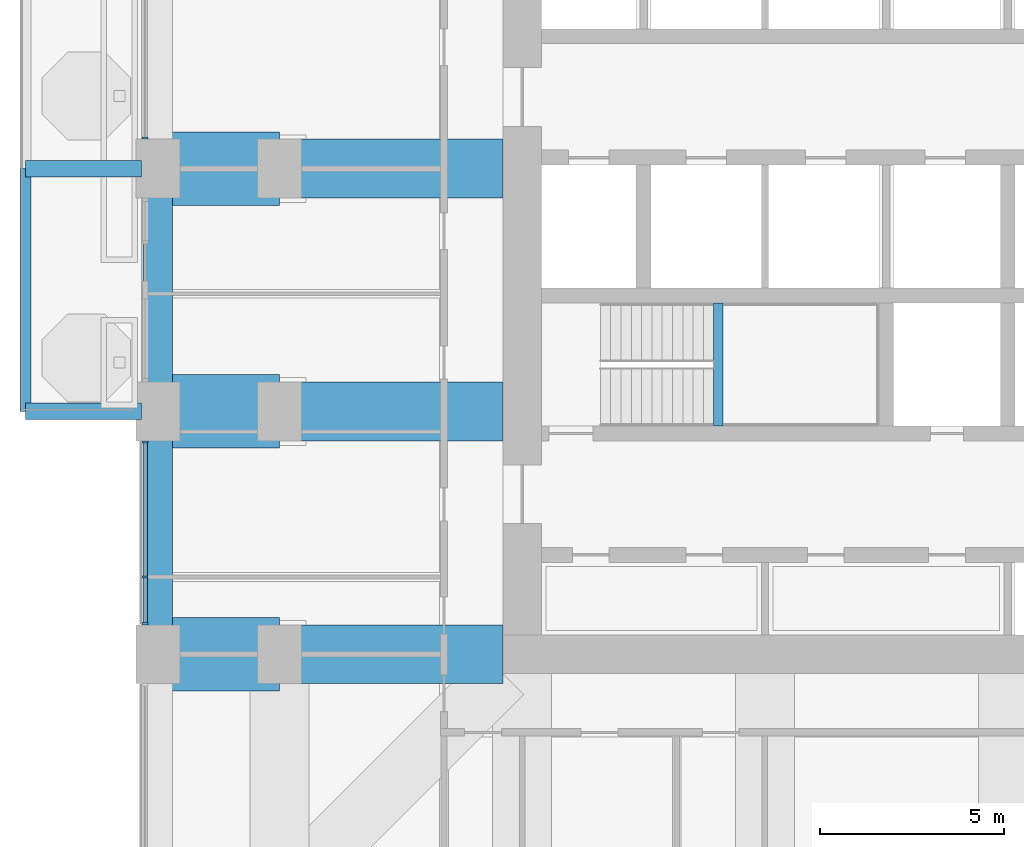
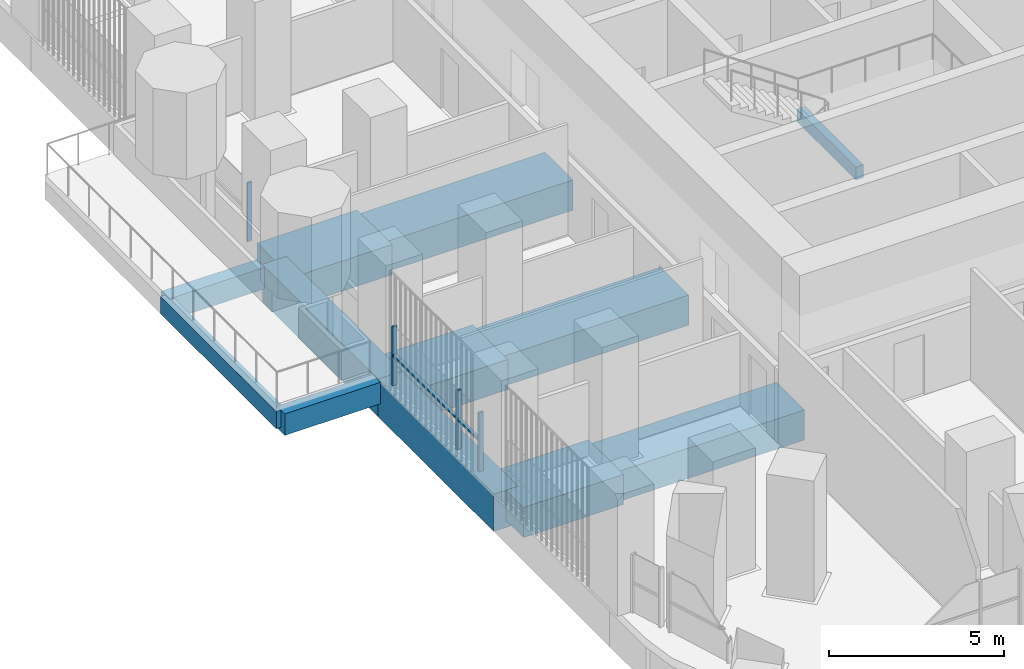
# One storey, part 4 of 22: 12 beams, 6 members, 2 elements without a shape of their own.
"""IFC4 building model written with IfcOpenShell, lengths in metres."""

from ifc_helpers import new_model, si_unit, direction, frame, origin, origin_2d, place, context, subcontext, project, spatial, rectangle, extrude, material, material_profile, profile_set, type_object, element, aggregate, save


model = new_model("IFC4")

# Units and contexts
model_context = context("Model", 3, precision=1e-05, world=origin(), true_north=direction((0.0, 1.0)))
body_context = subcontext(model_context, "Body", "Model", "MODEL_VIEW")
ifc_project = project(units=[si_unit("LENGTHUNIT", "METRE"), si_unit("AREAUNIT", "SQUARE_METRE"), si_unit("VOLUMEUNIT", "CUBIC_METRE"), si_unit("PLANEANGLEUNIT", "RADIAN"), si_unit("MASSUNIT", "GRAM", prefix="KILO")], contexts=[model_context])

# Site, building, storey
site_placement = place(None, origin())
site = spatial("IfcSite", under=ifc_project, at=site_placement, CompositionType="ELEMENT")
building_placement = place(site_placement, origin())
building = spatial("IfcBuilding", under=site, at=building_placement, Name="Cobogo Forest Laboratory Tower", CompositionType="ELEMENT")
storey_placement = place(building_placement, frame((0.0, 0.0, 145.199951171875)))
storey = spatial("IfcBuildingStorey", under=building, at=storey_placement, Name="L33", CompositionType="ELEMENT", Elevation=145.199951171875)

# Beams
ifc_material_1 = material(Name="Concrete HA-40 (C40/50)", Category="concrete")
ifc_material_profile_1 = material_profile(ifc_material_1, rectangle(XDim=0.449951171875, YDim=0.75, at=origin_2d()), Name="RC 450x750")
ifc_profile_set_1 = profile_set([ifc_material_profile_1], Name="Concrete HA-40 (C40/50)")
beam_type_1 = type_object("IfcBeamType", Name="Balcony cantilever beam 450x750", PredefinedType="BEAM", material=ifc_profile_set_1)
for number, where, z_axis, x_axis, name in (
    (1, (2.85009765625, 19.800048828125, -0.625), (-1.0, 0.0, 0.0), (0.0, -1.0, 0.0), "CB1 BAL-W1-C1 L33"),
    (2, (2.85009765625, 26.39990234375, -0.625), (-1.0, 0.0, 0.0), (0.0, -1.0, 0.0), "CB1 BAL-W1-C2 L33"),
):
    element("IfcBeam", number, at=place(storey_placement, frame(where, z_axis=z_axis, x_axis=x_axis)), inside=storey, type_object=beam_type_1, Name=name, PredefinedType="BEAM", context=body_context, shape_type="SweptSolid", body=[
        extrude(rectangle(XDim=0.449951171875, YDim=0.75, at=origin_2d()), origin(), (0.0, 0.0, 1.0), 3.150146484375),
    ])
ifc_material_profile_2 = material_profile(ifc_material_1, rectangle(XDim=0.300048828125, YDim=0.60009765625, at=origin_2d()), Name="RC 300x600")
ifc_profile_set_2 = profile_set([ifc_material_profile_2], Name="Concrete HA-40 (C40/50)")
beam_type_2 = type_object("IfcBeamType", Name="Balcony edge beam 300x600", PredefinedType="BEAM", material=ifc_profile_set_2)
beam_1_placement = place(storey_placement, frame((-0.300048828125, 19.800048828125, -0.550048828125), z_axis=(0.0, 1.0, 0.0), x_axis=(-1.0, 0.0, 0.0)))
element("IfcBeam", 3, at=beam_1_placement, inside=storey, type_object=beam_type_2, Name="BB1 BAL-W1-T1 L33", PredefinedType="BEAM", context=body_context, shape_type="SweptSolid", body=[
    extrude(rectangle(XDim=0.300048828125, YDim=0.60009765625, at=origin_2d()), origin(), (0.0, 0.0, 1.0), 6.599853515625),
])
ifc_material_2 = material(Name="Concrete HA-50 (C50/60)", Category="concrete")
ifc_material_profile_3 = material_profile(ifc_material_2, rectangle(XDim=2.0, YDim=1.050048828125, at=origin_2d()), Name="RC 2000x1050")
ifc_profile_set_3 = profile_set([ifc_material_profile_3], Name="Concrete HA-50 (C50/60)")
beam_type_3 = type_object("IfcBeamType", Name="End-bay wide beam 2000x1050", PredefinedType="BEAM", material=ifc_profile_set_3)
for number, where, z_axis, x_axis, name in (
    (4, (3.300048828125, 13.199951171875, -0.824951171875), (1.0, 0.0, 0.0), (0.0, 1.0, 0.0), "RB7 R-C-W-X L33"),
    (5, (3.300048828125, 19.800048828125, -0.824951171875), (1.0, 0.0, 0.0), (0.0, 1.0, 0.0), "RB7 R-D-W-X L33"),
    (6, (3.300048828125, 26.39990234375, -0.824951171875), (1.0, 0.0, 0.0), (0.0, 1.0, 0.0), "RB7 R-E-W-X L33"),
):
    element("IfcBeam", number, at=place(storey_placement, frame(where, z_axis=z_axis, x_axis=x_axis)), inside=storey, type_object=beam_type_3, Name=name, PredefinedType="BEAM", context=body_context, shape_type="SweptSolid", body=[
        extrude(rectangle(XDim=2.0, YDim=1.050048828125, at=origin_2d()), origin(), (0.0, 0.0, 1.0), 3.300048828125),
    ])
ifc_material_profile_4 = material_profile(ifc_material_1, rectangle(XDim=0.25, YDim=0.449951171875, at=origin_2d()), Name="RC 250x450")
ifc_profile_set_4 = profile_set([ifc_material_profile_4], Name="Concrete HA-40 (C40/50)")
beam_type_4 = type_object("IfcBeamType", Name="LB1 landing beam 250x450", PredefinedType="BEAM", material=ifc_profile_set_4)
beam_2_placement = place(storey_placement, frame((18.530029296875, 19.39990234375, 1.675048828125), z_axis=(0.0, 1.0, 0.0), x_axis=(-1.0, 0.0, 0.0)))
element("IfcBeam", 7, at=beam_2_placement, inside=storey, type_object=beam_type_4, Name="Landing beam ST1 L33", PredefinedType="BEAM", context=body_context, shape_type="SweptSolid", body=[
    extrude(rectangle(XDim=0.25, YDim=0.449951171875, at=origin_2d()), origin(), (0.0, 0.0, 1.0), 3.35009765625),
])
ifc_material_profile_5 = material_profile(ifc_material_2, rectangle(XDim=1.60009765625, YDim=1.050048828125, at=origin_2d()), Name="RC 1600x1050")
ifc_profile_set_5 = profile_set([ifc_material_profile_5], Name="Concrete HA-50 (C50/60)")
beam_type_5 = type_object("IfcBeamType", Name="Laboratory floor wide beam 1600x1050", PredefinedType="BEAM", material=ifc_profile_set_5)
for number, where, z_axis, x_axis, name in (
    (8, (12.675048828125, 13.199951171875, -0.824951171875), (-1.0, 0.0, 0.0), (0.0, -1.0, 0.0), "RB8 R-C-W L33"),
    (9, (12.675048828125, 19.800048828125, -0.824951171875), (-1.0, 0.0, 0.0), (0.0, -1.0, 0.0), "RB8 R-D-W L33"),
    (10, (12.675048828125, 26.39990234375, -0.824951171875), (-1.0, 0.0, 0.0), (0.0, -1.0, 0.0), "RB8 R-E-W L33"),
):
    element("IfcBeam", number, at=place(storey_placement, frame(where, z_axis=z_axis, x_axis=x_axis)), inside=storey, type_object=beam_type_5, Name=name, PredefinedType="BEAM", context=body_context, shape_type="SweptSolid", body=[
        extrude(rectangle(XDim=1.60009765625, YDim=1.050048828125, at=origin_2d()), origin(), (0.0, 0.0, 1.0), 6.074951171875),
    ])

# Curtain wall, member
ifc_material_3 = material(Name="Aluminium curtain wall", Category="aluminium")
curtain_wall_type = type_object("IfcCurtainWallType", Name="CW-1 unitised curtain wall, clear glazing, laboratory floors zones A and B", PredefinedType="USERDEFINED", material=ifc_material_3)
curtain_wall_1_placement = place(storey_placement, origin())
curtain_wall_1 = element("IfcCurtainWall", 11, at=curtain_wall_1_placement, inside=storey, type_object=curtain_wall_type, Name="Curtain wall 28 L33", ObjectType="UNITISED CURTAIN WALL", PredefinedType="USERDEFINED")
ifc_material_4 = material(Name="Aluminium mullion", Category="aluminium")
ifc_material_profile_6 = material_profile(ifc_material_4, rectangle(XDim=0.06005859375, YDim=0.159912109375, at=origin_2d()), Name="AL 60x160")
ifc_profile_set_6 = profile_set([ifc_material_profile_6], Name="Aluminium mullion")
member_type_1 = type_object("IfcMemberType", Name="MU-1 aluminium mullion 60x160", PredefinedType="MULLION", material=ifc_profile_set_6)
member_1_placement = place(storey_placement, frame((2.949951171875, 27.22998046875, 0.0), z_axis=(0.0, 0.0, 1.0), x_axis=(0.0, -1.0, 0.0)))
member_1 = element("IfcMember", 12, at=member_1_placement, type_object=member_type_1, Name="CW-1 mullion 2", PredefinedType="MULLION", context=body_context, shape_type="SweptSolid", body=[
    extrude(rectangle(XDim=0.06005859375, YDim=0.159912109375, at=origin_2d()), origin(), (0.0, 0.0, 1.0), 2.050048828125),
])
aggregate(curtain_wall_1, [member_1])

# Curtain wall, members
curtain_wall_2_placement = place(storey_placement, origin())
curtain_wall_2 = element("IfcCurtainWall", 13, at=curtain_wall_2_placement, inside=storey, type_object=curtain_wall_type, Name="Curtain wall 30 L33", ObjectType="UNITISED CURTAIN WALL", PredefinedType="USERDEFINED")
member_2_placement = place(storey_placement, frame((2.949951171875, 18.969970703125, 0.0), z_axis=(0.0, 0.0, 1.0), x_axis=(0.0, -1.0, 0.0)))
member_2 = element("IfcMember", 14, at=member_2_placement, type_object=member_type_1, Name="CW-1 mullion 1", PredefinedType="MULLION", context=body_context, shape_type="SweptSolid", body=[
    extrude(rectangle(XDim=0.06005859375, YDim=0.159912109375, at=origin_2d()), origin(), (0.0, 0.0, 1.0), 2.050048828125),
])
member_3_placement = place(storey_placement, frame((2.949951171875, 15.300048828125, 0.0), z_axis=(0.0, 0.0, 1.0), x_axis=(0.0, -1.0, 0.0)))
member_3 = element("IfcMember", 15, at=member_3_placement, type_object=member_type_1, Name="CW-1 mullion 2", PredefinedType="MULLION", context=body_context, shape_type="SweptSolid", body=[
    extrude(rectangle(XDim=0.06005859375, YDim=0.159912109375, at=origin_2d()), origin(), (0.0, 0.0, 1.0), 2.050048828125),
])
member_4_placement = place(storey_placement, frame((2.949951171875, 14.030029296875, 0.0), z_axis=(0.0, 0.0, 1.0), x_axis=(0.0, -1.0, 0.0)))
member_4 = element("IfcMember", 16, at=member_4_placement, type_object=member_type_1, Name="CW-1 mullion 3", PredefinedType="MULLION", context=body_context, shape_type="SweptSolid", body=[
    extrude(rectangle(XDim=0.06005859375, YDim=0.159912109375, at=origin_2d()), origin(), (0.0, 0.0, 1.0), 2.050048828125),
])

# Beams
ifc_material_profile_7 = material_profile(ifc_material_1, rectangle(XDim=0.800048828125, YDim=1.300048828125, at=origin_2d()), Name="RC 800x1300")
ifc_profile_set_7 = profile_set([ifc_material_profile_7], Name="Concrete HA-40 (C40/50)")
beam_type_6 = type_object("IfcBeamType", Name="Perimeter edge beam 800x1300", PredefinedType="BEAM", material=ifc_profile_set_7)
beam_3_placement = place(storey_placement, frame((3.300048828125, 13.199951171875, -0.949951171875), z_axis=(0.0, 1.0, 0.0), x_axis=(-1.0, 0.0, 0.0)))
element("IfcBeam", 17, at=beam_3_placement, inside=storey, type_object=beam_type_6, Name="EB2 E-W2 L33", PredefinedType="BEAM", context=body_context, shape_type="SweptSolid", body=[
    extrude(rectangle(XDim=0.800048828125, YDim=1.300048828125, at=origin_2d()), origin(), (0.0, 0.0, 1.0), 6.60009765625),
])
beam_4_placement = place(storey_placement, frame((3.300048828125, 19.800048828125, -0.949951171875), z_axis=(0.0, 1.0, 0.0), x_axis=(-1.0, 0.0, 0.0)))
element("IfcBeam", 18, at=beam_4_placement, inside=storey, type_object=beam_type_6, Name="EB2 E-W3 L33", PredefinedType="BEAM", context=body_context, shape_type="SweptSolid", body=[
    extrude(rectangle(XDim=0.800048828125, YDim=1.300048828125, at=origin_2d()), origin(), (0.0, 0.0, 1.0), 6.599853515625),
])

# Member
ifc_material_5 = material(Name="Aluminium transom", Category="aluminium")
ifc_material_profile_8 = material_profile(ifc_material_5, rectangle(XDim=0.1201171875, YDim=0.06005859375, at=origin_2d()), Name="AL 60x120")
ifc_profile_set_8 = profile_set([ifc_material_profile_8], Name="Aluminium transom")
member_type_2 = type_object("IfcMemberType", Name="TR-1 aluminium transom 60x120", PredefinedType="USERDEFINED", material=ifc_profile_set_8)
member_5_placement = place(storey_placement, frame((2.949951171875, 18.93994140625, 1.050048828125), z_axis=(0.0, -1.0, 0.0), x_axis=(1.0, 0.0, 0.0)))
member_5 = element("IfcMember", 19, at=member_5_placement, type_object=member_type_2, Name="CW-1 transom 1.1", ObjectType="TRANSOM", PredefinedType="USERDEFINED", context=body_context, shape_type="SweptSolid", body=[
    extrude(rectangle(XDim=0.1201171875, YDim=0.06005859375, at=origin_2d()), origin(), (0.0, 0.0, 1.0), 3.60986328125),
])

member_6_placement = place(storey_placement, frame((2.949951171875, 15.27001953125, 1.050048828125), z_axis=(0.0, -1.0, 0.0), x_axis=(1.0, 0.0, 0.0)))
member_6 = element("IfcMember", 20, at=member_6_placement, type_object=member_type_2, Name="CW-1 transom 2.1", ObjectType="TRANSOM", PredefinedType="USERDEFINED", context=body_context, shape_type="SweptSolid", body=[
    extrude(rectangle(XDim=0.1201171875, YDim=0.06005859375, at=origin_2d()), origin(), (0.0, 0.0, 1.0), 1.2099609375),
])

aggregate(curtain_wall_2, [member_2, member_3, member_4, member_5, member_6])

save(model, "model.ifc")
